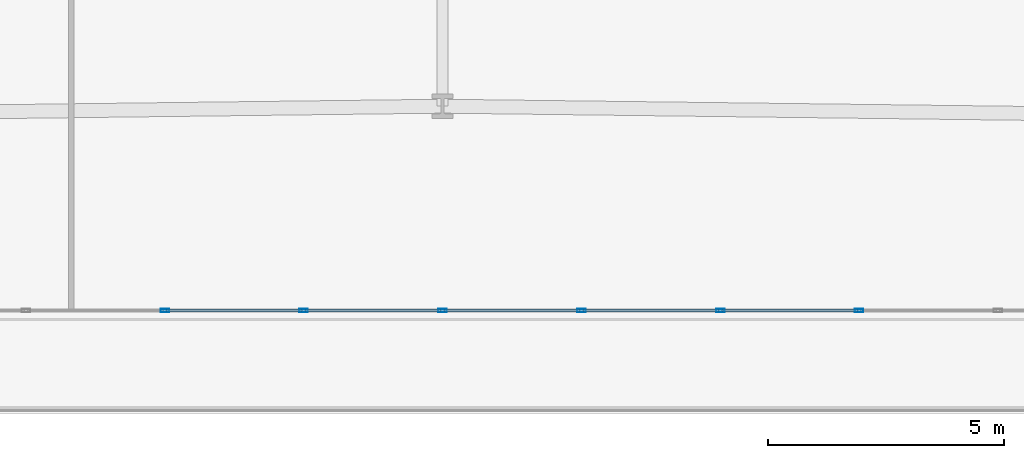
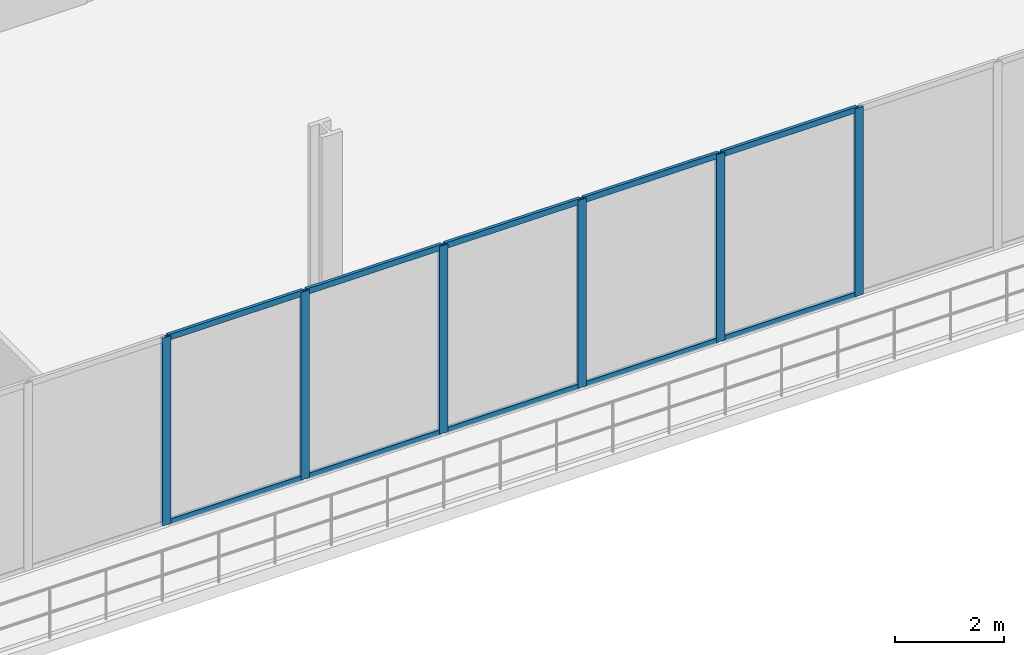
# One storey, part 6 of 31: 16 members, 1 element without a shape of its own.
"""IFC4 building model written with IfcOpenShell, lengths in metres."""

from ifc_helpers import new_model, si_unit, direction, frame, origin, origin_2d, place, context, subcontext, project, spatial, hollow_rectangle, extrude, material, layer, layer_set, material_profile, profile_set, type_object, element, aggregate, save


model = new_model("IFC4")

# Units and contexts
model_context = context("Model", 3, precision=1e-05, world=origin(), true_north=direction((0.0, 1.0)))
body_context = subcontext(model_context, "Body", "Model", "MODEL_VIEW")
ifc_project = project(units=[si_unit("LENGTHUNIT", "METRE"), si_unit("AREAUNIT", "SQUARE_METRE"), si_unit("VOLUMEUNIT", "CUBIC_METRE"), si_unit("PLANEANGLEUNIT", "RADIAN"), si_unit("MASSUNIT", "GRAM", prefix="KILO")], contexts=[model_context])

# Site, building, storey
site_placement = place(None, origin())
site = spatial("IfcSite", under=ifc_project, at=site_placement, CompositionType="ELEMENT")
building_placement = place(site_placement, origin())
building = spatial("IfcBuilding", under=site, at=building_placement, Name="Caelvoria Tower", CompositionType="ELEMENT")
storey_placement = place(building_placement, frame((0.0, 0.0, 9.5)))
storey = spatial("IfcBuildingStorey", under=building, at=storey_placement, Name="L02", CompositionType="ELEMENT", Elevation=9.5)

# Curtain wall, members
ifc_material_1 = material(Name="Anodised Bronze Aluminium and Low-E Glass", Category="aluminium")
ifc_layer = layer(ifc_material_1, 0.199951171875, Name="Anodised Bronze Aluminium and Low-E Glass")
ifc_layer_set = layer_set([ifc_layer], Name="CW System 1 Podium Arcade Unitised Glazing - Anodised Bronze Aluminium and Low-E Glass")
curtain_wall_type = type_object("IfcCurtainWallType", Name="CW System 1 Podium Arcade Unitised Glazing", PredefinedType="NOTDEFINED", material=ifc_layer_set)
curtain_wall_placement = place(storey_placement, origin())
curtain_wall = element("IfcCurtainWall", 1, at=curtain_wall_placement, inside=storey, type_object=curtain_wall_type, Name="CW-01 Curtain Wall L02-E0", PredefinedType="NOTDEFINED")
ifc_material_2 = material(Name="Anodised Bronze Architectural Aluminium", Category="aluminium")
ifc_material_profile_1 = material_profile(ifc_material_2, hollow_rectangle(XDim=0.070068359375, YDim=0.179931640625, WallThickness=0.00390625, at=origin_2d()), Name="Anodised Bronze Architectural Aluminium")
ifc_profile_set_1 = profile_set([ifc_material_profile_1], Name="CW_MULL_70X180 - Anodised Bronze Architectural Aluminium")
member_type_1 = type_object("IfcMemberType", Name="Curtain Wall Mullion 70x180 Bronze Aluminium", PredefinedType="MULLION", material=ifc_profile_set_1)
member_1_placement = place(storey_placement, frame((40.127197265625, 6.3798828125, 0.0), z_axis=(0.0, 0.0, 1.0), x_axis=(0.0, 1.0, 0.0)))
member_1 = element("IfcMember", 2, at=member_1_placement, type_object=member_type_1, Name="CW-01 mullion 10", PredefinedType="MULLION", context=body_context, shape_type="SweptSolid", body=[
    extrude(hollow_rectangle(XDim=0.070068359375, YDim=0.179931640625, WallThickness=0.00390625, at=origin_2d()), origin(), (0.0, 0.0, 1.0), 4.2099609375),
])
member_2_placement = place(storey_placement, frame((43.063720703125, 6.3798828125, 0.0), z_axis=(0.0, 0.0, 1.0), x_axis=(0.0, 1.0, 0.0)))
member_2 = element("IfcMember", 3, at=member_2_placement, type_object=member_type_1, Name="CW-01 mullion 11", PredefinedType="MULLION", context=body_context, shape_type="SweptSolid", body=[
    extrude(hollow_rectangle(XDim=0.070068359375, YDim=0.179931640625, WallThickness=0.00390625, at=origin_2d()), origin(), (0.0, 0.0, 1.0), 4.2099609375),
])
member_3_placement = place(storey_placement, frame((46.0, 6.3798828125, 0.0), z_axis=(0.0, 0.0, 1.0), x_axis=(0.0, 1.0, 0.0)))
member_3 = element("IfcMember", 4, at=member_3_placement, type_object=member_type_1, Name="CW-01 mullion 12", PredefinedType="MULLION", context=body_context, shape_type="SweptSolid", body=[
    extrude(hollow_rectangle(XDim=0.070068359375, YDim=0.179931640625, WallThickness=0.00390625, at=origin_2d()), origin(), (0.0, 0.0, 1.0), 4.2099609375),
])
member_4_placement = place(storey_placement, frame((48.936279296875, 6.3798828125, 0.0), z_axis=(0.0, 0.0, 1.0), x_axis=(0.0, 1.0, 0.0)))
member_4 = element("IfcMember", 5, at=member_4_placement, type_object=member_type_1, Name="CW-01 mullion 13", PredefinedType="MULLION", context=body_context, shape_type="SweptSolid", body=[
    extrude(hollow_rectangle(XDim=0.070068359375, YDim=0.179931640625, WallThickness=0.00390625, at=origin_2d()), origin(), (0.0, 0.0, 1.0), 4.2099609375),
])
member_5_placement = place(storey_placement, frame((51.872802734375, 6.3798828125, 0.0), z_axis=(0.0, 0.0, 1.0), x_axis=(0.0, 1.0, 0.0)))
member_5 = element("IfcMember", 6, at=member_5_placement, type_object=member_type_1, Name="CW-01 mullion 14", PredefinedType="MULLION", context=body_context, shape_type="SweptSolid", body=[
    extrude(hollow_rectangle(XDim=0.070068359375, YDim=0.179931640625, WallThickness=0.00390625, at=origin_2d()), origin(), (0.0, 0.0, 1.0), 4.2099609375),
])
member_6_placement = place(storey_placement, frame((54.80908203125, 6.3798828125, 0.0), z_axis=(0.0, 0.0, 1.0), x_axis=(0.0, 1.0, 0.0)))
member_6 = element("IfcMember", 7, at=member_6_placement, type_object=member_type_1, Name="CW-01 mullion 15", PredefinedType="MULLION", context=body_context, shape_type="SweptSolid", body=[
    extrude(hollow_rectangle(XDim=0.070068359375, YDim=0.179931640625, WallThickness=0.00390625, at=origin_2d()), origin(), (0.0, 0.0, 1.0), 4.2099609375),
])
ifc_material_profile_2 = material_profile(ifc_material_2, hollow_rectangle(XDim=0.06494140625, YDim=0.1298828125, WallThickness=0.00341796875, at=origin_2d()), Name="Anodised Bronze Architectural Aluminium")
ifc_profile_set_2 = profile_set([ifc_material_profile_2], Name="CW_TRAN_65X130 - Anodised Bronze Architectural Aluminium")
member_type_2 = type_object("IfcMemberType", Name="Curtain Wall Transom 65x130 Bronze Aluminium", PredefinedType="USERDEFINED", material=ifc_profile_set_2)
member_7_placement = place(storey_placement, frame((40.162353515625, 6.3798828125, 0.032470703125), z_axis=(1.0, 0.0, 0.0), x_axis=(0.0, 1.0, 0.0)))
member_7 = element("IfcMember", 8, at=member_7_placement, type_object=member_type_2, Name="CW-01 transom 10.1", ObjectType="TRANSOM", PredefinedType="USERDEFINED", context=body_context, shape_type="SweptSolid", body=[
    extrude(hollow_rectangle(XDim=0.06494140625, YDim=0.1298828125, WallThickness=0.00341796875, at=origin_2d()), origin(), (0.0, 0.0, 1.0), 2.8662109375),
])
member_8_placement = place(storey_placement, frame((40.162353515625, 6.3798828125, 4.177490234375), z_axis=(1.0, 0.0, 0.0), x_axis=(0.0, 1.0, 0.0)))
member_8 = element("IfcMember", 9, at=member_8_placement, type_object=member_type_2, Name="CW-01 transom 10.2", ObjectType="TRANSOM", PredefinedType="USERDEFINED", context=body_context, shape_type="SweptSolid", body=[
    extrude(hollow_rectangle(XDim=0.06494140625, YDim=0.1298828125, WallThickness=0.00341796875, at=origin_2d()), origin(), (0.0, 0.0, 1.0), 2.8662109375),
])
member_9_placement = place(storey_placement, frame((43.0986328125, 6.3798828125, 0.032470703125), z_axis=(1.0, 0.0, 0.0), x_axis=(0.0, 1.0, 0.0)))
member_9 = element("IfcMember", 10, at=member_9_placement, type_object=member_type_2, Name="CW-01 transom 11.1", ObjectType="TRANSOM", PredefinedType="USERDEFINED", context=body_context, shape_type="SweptSolid", body=[
    extrude(hollow_rectangle(XDim=0.06494140625, YDim=0.1298828125, WallThickness=0.00341796875, at=origin_2d()), origin(), (0.0, 0.0, 1.0), 2.866455078125),
])
member_10_placement = place(storey_placement, frame((43.0986328125, 6.3798828125, 4.177490234375), z_axis=(1.0, 0.0, 0.0), x_axis=(0.0, 1.0, 0.0)))
member_10 = element("IfcMember", 11, at=member_10_placement, type_object=member_type_2, Name="CW-01 transom 11.2", ObjectType="TRANSOM", PredefinedType="USERDEFINED", context=body_context, shape_type="SweptSolid", body=[
    extrude(hollow_rectangle(XDim=0.06494140625, YDim=0.1298828125, WallThickness=0.00341796875, at=origin_2d()), origin(), (0.0, 0.0, 1.0), 2.866455078125),
])
member_11_placement = place(storey_placement, frame((46.034912109375, 6.3798828125, 0.032470703125), z_axis=(1.0, 0.0, 0.0), x_axis=(0.0, 1.0, 0.0)))
member_11 = element("IfcMember", 12, at=member_11_placement, type_object=member_type_2, Name="CW-01 transom 12.1", ObjectType="TRANSOM", PredefinedType="USERDEFINED", context=body_context, shape_type="SweptSolid", body=[
    extrude(hollow_rectangle(XDim=0.06494140625, YDim=0.1298828125, WallThickness=0.00341796875, at=origin_2d()), origin(), (0.0, 0.0, 1.0), 2.866455078125),
])
member_12_placement = place(storey_placement, frame((46.034912109375, 6.3798828125, 4.177490234375), z_axis=(1.0, 0.0, 0.0), x_axis=(0.0, 1.0, 0.0)))
member_12 = element("IfcMember", 13, at=member_12_placement, type_object=member_type_2, Name="CW-01 transom 12.2", ObjectType="TRANSOM", PredefinedType="USERDEFINED", context=body_context, shape_type="SweptSolid", body=[
    extrude(hollow_rectangle(XDim=0.06494140625, YDim=0.1298828125, WallThickness=0.00341796875, at=origin_2d()), origin(), (0.0, 0.0, 1.0), 2.866455078125),
])
member_13_placement = place(storey_placement, frame((48.971435546875, 6.3798828125, 0.032470703125), z_axis=(1.0, 0.0, 0.0), x_axis=(0.0, 1.0, 0.0)))
member_13 = element("IfcMember", 14, at=member_13_placement, type_object=member_type_2, Name="CW-01 transom 13.1", ObjectType="TRANSOM", PredefinedType="USERDEFINED", context=body_context, shape_type="SweptSolid", body=[
    extrude(hollow_rectangle(XDim=0.06494140625, YDim=0.1298828125, WallThickness=0.00341796875, at=origin_2d()), origin(), (0.0, 0.0, 1.0), 2.8662109375),
])
member_14_placement = place(storey_placement, frame((48.971435546875, 6.3798828125, 4.177490234375), z_axis=(1.0, 0.0, 0.0), x_axis=(0.0, 1.0, 0.0)))
member_14 = element("IfcMember", 15, at=member_14_placement, type_object=member_type_2, Name="CW-01 transom 13.2", ObjectType="TRANSOM", PredefinedType="USERDEFINED", context=body_context, shape_type="SweptSolid", body=[
    extrude(hollow_rectangle(XDim=0.06494140625, YDim=0.1298828125, WallThickness=0.00341796875, at=origin_2d()), origin(), (0.0, 0.0, 1.0), 2.8662109375),
])
member_15_placement = place(storey_placement, frame((51.90771484375, 6.3798828125, 0.032470703125), z_axis=(1.0, 0.0, 0.0), x_axis=(0.0, 1.0, 0.0)))
member_15 = element("IfcMember", 16, at=member_15_placement, type_object=member_type_2, Name="CW-01 transom 14.1", ObjectType="TRANSOM", PredefinedType="USERDEFINED", context=body_context, shape_type="SweptSolid", body=[
    extrude(hollow_rectangle(XDim=0.06494140625, YDim=0.1298828125, WallThickness=0.00341796875, at=origin_2d()), origin(), (0.0, 0.0, 1.0), 2.866455078125),
])
member_16_placement = place(storey_placement, frame((51.90771484375, 6.3798828125, 4.177490234375), z_axis=(1.0, 0.0, 0.0), x_axis=(0.0, 1.0, 0.0)))
member_16 = element("IfcMember", 17, at=member_16_placement, type_object=member_type_2, Name="CW-01 transom 14.2", ObjectType="TRANSOM", PredefinedType="USERDEFINED", context=body_context, shape_type="SweptSolid", body=[
    extrude(hollow_rectangle(XDim=0.06494140625, YDim=0.1298828125, WallThickness=0.00341796875, at=origin_2d()), origin(), (0.0, 0.0, 1.0), 2.866455078125),
])
aggregate(curtain_wall, [member_1, member_2, member_3, member_4, member_5, member_6, member_7, member_8, member_9, member_10, member_11, member_12, member_13, member_14, member_15, member_16])

save(model, "model.ifc")
